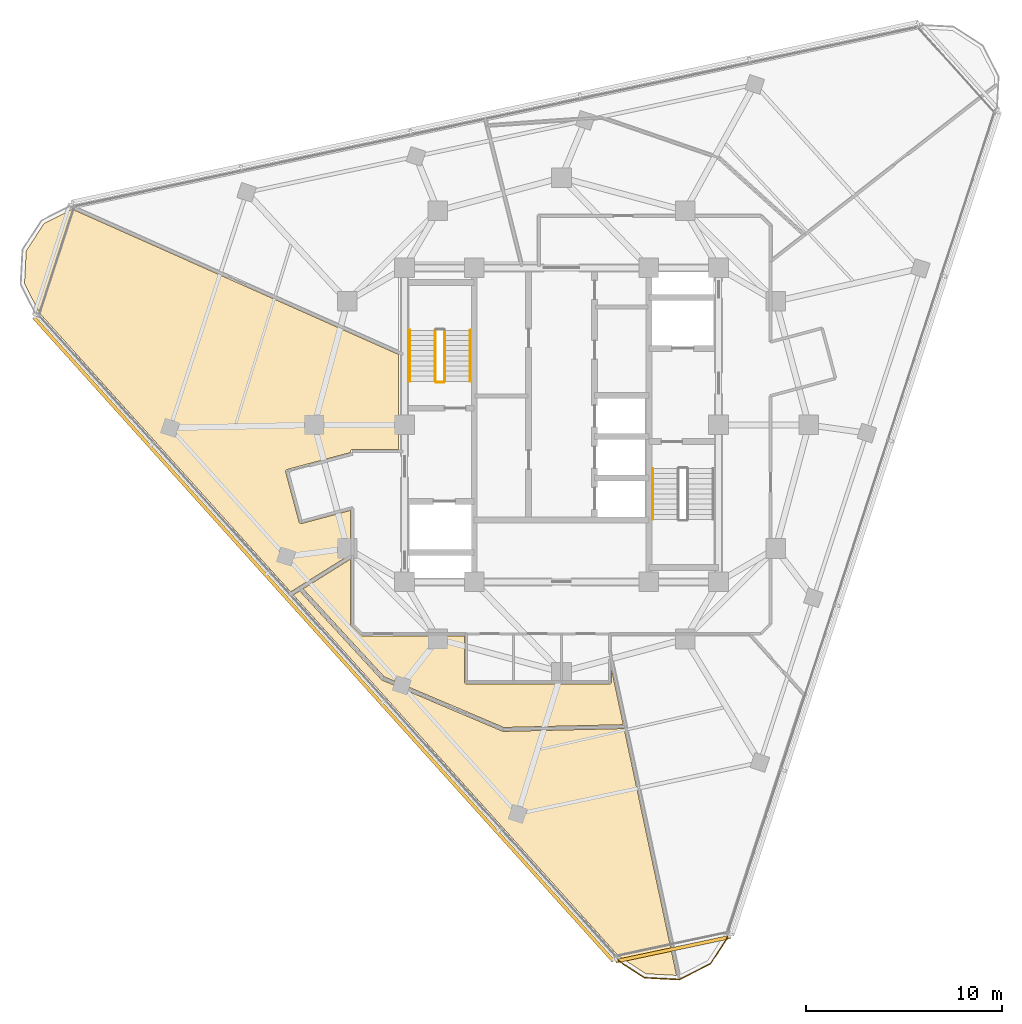
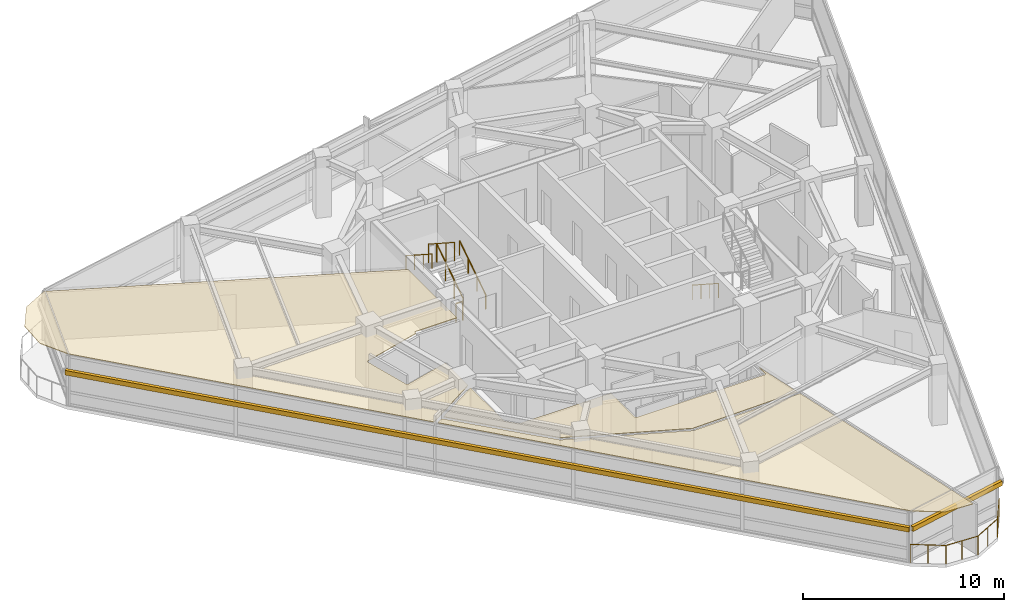
# One storey, part 12 of 15: 7 railings, 3 coverings, 2 shading devices.
"""IFC4 building model written with IfcOpenShell, lengths in metres."""

from ifc_helpers import new_model, si_unit, direction, frame, origin, origin_2d, place, context, subcontext, project, spatial, polyline, rectangle, circle, outline, extrude, material, layer, layer_set, type_object, element, save


model = new_model("IFC4")

# Units and contexts
model_context = context("Model", 3, precision=1e-05, world=origin(), true_north=direction((0.0, 1.0)))
body_context = subcontext(model_context, "Body", "Model", "MODEL_VIEW")
ifc_project = project(units=[si_unit("LENGTHUNIT", "METRE"), si_unit("AREAUNIT", "SQUARE_METRE"), si_unit("VOLUMEUNIT", "CUBIC_METRE"), si_unit("PLANEANGLEUNIT", "RADIAN"), si_unit("MASSUNIT", "GRAM", prefix="KILO")], contexts=[model_context])

# Site, building, storey
site_placement = place(None, origin())
site = spatial("IfcSite", under=ifc_project, at=site_placement, CompositionType="ELEMENT")
building_placement = place(site_placement, origin())
building = spatial("IfcBuilding", under=site, at=building_placement, Name="Terralouvre Media Tower", CompositionType="ELEMENT")
storey_placement = place(building_placement, frame((0.0, 0.0, 286.89990234375)))
storey = spatial("IfcBuildingStorey", under=building, at=storey_placement, Name="L74", CompositionType="ELEMENT", Elevation=286.89990234375)

# Coverings
ifc_material_1 = material(Name="Perforated aluminium acoustic ceiling baffle", Category="aluminium")
ifc_layer_1 = layer(ifc_material_1, 0.0400390625, Name="Perforated Acoustic Metal Tile Ceiling CL-AC1")
ifc_layer_set_1 = layer_set([ifc_layer_1], Name="Perforated aluminium acoustic ceiling baffle")
covering_type = type_object("IfcCoveringType", Name="Perforated Acoustic Metal Tile Ceiling CL-AC1", PredefinedType="CEILING", material=ifc_layer_set_1)
covering_1_placement = place(storey_placement, frame((0.0, 0.0, 2.97998046875), z_axis=(0.0, 0.0, 1.0), x_axis=(0.309016994375, 0.951056516295, 0.0)))
element("IfcCovering", 1, at=covering_1_placement, inside=storey, type_object=covering_type, Name="L74 Admissions Reception 1 Acoustic Ceiling", PredefinedType="CEILING", context=body_context, shape_type="SweptSolid", body=[
    extrude(outline(polyline([(-11.97607421875, 10.179443359375), (-9.5986328125, 8.1845703125), (-7.464111328125, 8.8779296875), (-8.87451171875, 11.049560546875), (-8.87939453125, 11.05810546875), (-8.883544921875, 11.06689453125), (-8.88671875, 11.076416015625), (-8.888916015625, 11.0859375), (-8.89013671875, 11.095458984375), (-8.890625, 11.10546875), (-8.889892578125, 11.115234375), (-8.888427734375, 11.124755859375), (-8.885986328125, 11.13427734375), (-8.882568359375, 11.1435546875), (-8.878173828125, 11.15234375), (-8.873046875, 11.16064453125), (-8.866943359375, 11.16845703125), (-8.8603515625, 11.17578125), (-8.85302734375, 11.18212890625), (-8.844970703125, 11.18798828125), (-6.621826171875, 12.63037109375), (-6.613525390625, 12.635498046875), (-6.6044921875, 12.639404296875), (-6.59521484375, 12.642578125), (-6.585693359375, 12.644775390625), (-6.576171875, 12.646240234375), (-6.566162109375, 12.646484375), (-6.556396484375, 12.64599609375), (-6.546875, 12.644287109375), (-6.537109375, 12.641845703125), (-6.528076171875, 12.638427734375), (-6.519287109375, 12.634033203125), (-6.510986328125, 12.62890625), (-6.503173828125, 12.623046875), (-6.495849609375, 12.616455078125), (-6.489501953125, 12.60888671875), (-6.483642578125, 12.60107421875), (-4.658447265625, 9.78955078125), (-4.60595703125, 9.806640625), (-4.596435546875, 9.809326171875), (-4.586669921875, 9.810791015625), (-4.576904296875, 9.8115234375), (-4.567138671875, 9.811279296875), (-4.557373046875, 9.81005859375), (-4.5478515625, 9.807861328125), (-4.53857421875, 9.8046875), (-4.529541015625, 9.80078125), (-4.52099609375, 9.795654296875), (-4.51318359375, 9.7900390625), (-4.505615234375, 9.78369140625), (-4.4990234375, 9.776611328125), (-4.492919921875, 9.768798828125), (-4.48779296875, 9.760498046875), (-4.4833984375, 9.751708984375), (-4.479736328125, 9.742431640625), (-3.7568359375, 7.51708984375), (0.846435546875, 9.0126953125), (2.7490234375, 27.111572265625), (1.6064453125, 28.255126953125), (0.0, 28.684326171875), (-1.606201171875, 28.254150390625), (-2.803466796875, 27.057861328125), (-12.361328125, 10.5029296875), (-11.97607421875, 10.179443359375)])), origin(), (0.0, 0.0, 1.0), 0.0400390625),
])
covering_2_placement = place(storey_placement, frame((0.0, 0.0, 2.97998046875), z_axis=(0.0, 0.0, 1.0), x_axis=(0.309016994375, 0.951056516295, 0.0)))
element("IfcCovering", 2, at=covering_2_placement, inside=storey, type_object=covering_type, Name="L74 Journalism Training Classroom 3 Acoustic Ceiling", PredefinedType="CEILING", context=body_context, shape_type="SweptSolid", body=[
    extrude(outline(polyline([(-14.998291015625, 4.633056640625), (-15.57470703125, -1.9580078125), (-13.55615234375, -7.711669921875), (-11.078369140625, -6.28076171875), (-11.6708984375, -6.473388671875), (-11.680419921875, -6.475830078125), (-11.68994140625, -6.4775390625), (-11.69970703125, -6.478271484375), (-11.709716796875, -6.47802734375), (-11.71923828125, -6.4765625), (-11.72900390625, -6.474365234375), (-11.738037109375, -6.471435546875), (-11.7470703125, -6.46728515625), (-11.755615234375, -6.46240234375), (-11.763671875, -6.456787109375), (-11.77099609375, -6.4501953125), (-11.77783203125, -6.443115234375), (-11.78369140625, -6.435302734375), (-11.7890625, -6.427001953125), (-11.79345703125, -6.418212890625), (-11.796875, -6.4091796875), (-14.052734375, 0.53369140625), (-14.05517578125, 0.54296875), (-14.056884765625, 0.552734375), (-14.0576171875, 0.5625), (-14.057373046875, 0.572265625), (-14.055908203125, 0.58203125), (-14.0537109375, 0.591796875), (-14.05078125, 0.600830078125), (-14.046630859375, 0.60986328125), (-14.041748046875, 0.618408203125), (-14.0361328125, 0.62646484375), (-14.029541015625, 0.6337890625), (-14.0224609375, 0.640625), (-14.0146484375, 0.646484375), (-14.00634765625, 0.65185546875), (-13.99755859375, 0.656005859375), (-13.988525390625, 0.65966796875), (-11.75341796875, 1.3857421875), (-13.3603515625, 6.331298828125), (-13.363037109375, 6.3408203125), (-13.364501953125, 6.350341796875), (-13.365234375, 6.360107421875), (-13.364990234375, 6.3701171875), (-13.36376953125, 6.379638671875), (-13.361572265625, 6.389404296875), (-13.3583984375, 6.398681640625), (-13.354248046875, 6.407470703125), (-13.033447265625, 7.03759765625), (-13.0283203125, 7.046142578125), (-13.022705078125, 7.05419921875), (-13.016357421875, 7.0615234375), (-13.00927734375, 7.068359375), (-13.00146484375, 7.07421875), (-12.9931640625, 7.07958984375), (-12.984375, 7.083740234375), (-12.97509765625, 7.08740234375), (-9.82275390625, 8.111572265625), (-12.01220703125, 9.94873046875), (-14.998291015625, 4.633056640625)])), origin(), (0.0, 0.0, 1.0), 0.0400390625),
])
covering_3_placement = place(storey_placement, frame((0.0, 0.0, 2.97998046875), z_axis=(0.0, 0.0, 1.0), x_axis=(0.309016994375, 0.951056516295, 0.0)))
element("IfcCovering", 3, at=covering_3_placement, inside=storey, type_object=covering_type, Name="L74 Broadcast Ethics Seminar Room 4 Acoustic Ceiling", PredefinedType="CEILING", context=body_context, shape_type="SweptSolid", body=[
    extrude(outline(polyline([(-15.770751953125, -2.003662109375), (-15.773681640625, -1.99365234375), (-15.775390625, -1.983154296875), (-15.7763671875, -1.97265625), (-15.77587890625, -1.9619140625), (-15.195556640625, 4.672119140625), (-15.194091796875, 4.6826171875), (-15.19140625, 4.69287109375), (-15.187744140625, 4.702880859375), (-15.18310546875, 4.71240234375), (-12.16796875, 10.07958984375), (-12.462890625, 10.3271484375), (-24.83447265625, -11.10107421875), (-25.272705078125, -12.736083984375), (-24.86865234375, -14.241943359375), (-13.732421875, -7.8134765625), (-15.770751953125, -2.003662109375)])), origin(), (0.0, 0.0, 1.0), 0.0400390625),
])

# Railings
ifc_material_2 = material(Name="Stainless steel 316 handrail and balustrade", Category="steel")
ifc_layer_2 = layer(ifc_material_2, 0.06005859375, Name="Roof Edge Safety Guardrail GR-ROOF1")
ifc_layer_set_2 = layer_set([ifc_layer_2], Name="Stainless steel 316 handrail and balustrade")
railing_type_1 = type_object("IfcRailingType", Name="Roof Edge Safety Guardrail GR-ROOF1", PredefinedType="GUARDRAIL", material=ifc_layer_set_2)
railing_1_placement = place(storey_placement, frame((2.738037109375, -27.202880859375, 0.0)))
element("IfcRailing", 4, at=railing_1_placement, inside=storey, type_object=railing_type_1, Name="L74 Wind-Corner Perimeter Safety Guardrail C0", PredefinedType="GUARDRAIL", context=body_context, shape_type="SweptSolid", body=[
    extrude(circle(Radius=0.02099609375, at=origin_2d()), frame((0.0, 0.0, 1.12890625), z_axis=(0.838512544294, -0.544882292849, 0.0), x_axis=(0.544882292849, 0.838512544294, 0.0)), (0.0, 0.0, 1.0), 1.780029296875),
    extrude(circle(Radius=0.02099609375, at=origin_2d()), frame((1.49267578125, -0.969970703125, 1.12890625), z_axis=(0.998626153307, -0.052400438264, 0.0), x_axis=(0.052400438264, 0.998626153307, 0.0)), (0.0, 0.0, 1.0), 1.77978515625),
    extrude(circle(Radius=0.02099609375, at=origin_2d()), frame((3.27001953125, -1.063232421875, 1.12890625), z_axis=(0.890999717441, 0.454003858487, 0.0), x_axis=(-0.454003858487, 0.890999717441, 0.0)), (0.0, 0.0, 1.0), 1.780029296875),
    extrude(circle(Radius=0.02099609375, at=origin_2d()), frame((4.85595703125, -0.255126953125, 1.12890625), z_axis=(0.544371122697, 0.838844491413, 0.0), x_axis=(-0.838844491413, 0.544371122697, 0.0)), (0.0, 0.0, 1.0), 1.780029296875),
    extrude(circle(Radius=0.01904296875, at=origin_2d()), origin(), (0.0, 0.0, 1.0), 1.10791015625),
    extrude(circle(Radius=0.01904296875, at=origin_2d()), frame((0.746337890625, -0.48486328125, 0.0)), (0.0, 0.0, 1.0), 1.10791015625),
    extrude(circle(Radius=0.01904296875, at=origin_2d()), frame((1.49267578125, -0.969970703125, 0.0)), (0.0, 0.0, 1.0), 1.10791015625),
    extrude(circle(Radius=0.01904296875, at=origin_2d()), frame((2.38134765625, -1.0166015625, 0.0)), (0.0, 0.0, 1.0), 1.10791015625),
    extrude(circle(Radius=0.01904296875, at=origin_2d()), frame((3.27001953125, -1.063232421875, 0.0)), (0.0, 0.0, 1.0), 1.10791015625),
    extrude(circle(Radius=0.01904296875, at=origin_2d()), frame((4.06298828125, -0.6591796875, 0.0)), (0.0, 0.0, 1.0), 1.10791015625),
    extrude(circle(Radius=0.01904296875, at=origin_2d()), frame((4.85595703125, -0.255126953125, 0.0)), (0.0, 0.0, 1.0), 1.10791015625),
    extrude(circle(Radius=0.01904296875, at=origin_2d()), frame((5.34033203125, 0.491455078125, 0.0)), (0.0, 0.0, 1.0), 1.10791015625),
    extrude(circle(Radius=0.01904296875, at=origin_2d()), frame((5.824951171875, 1.238037109375, 0.0)), (0.0, 0.0, 1.0), 1.10791015625),
])
ifc_material_3 = material(Name="Stainless steel 316 handrail and balustrade", Category="steel")
ifc_layer_3 = layer(ifc_material_3, 0.050048828125, Name="Stair Flight Wall Handrail HR-INT1")
ifc_layer_set_3 = layer_set([ifc_layer_3], Name="Stainless steel 316 handrail and balustrade")
railing_type_2 = type_object("IfcRailingType", Name="Stair Flight Wall Handrail HR-INT1", PredefinedType="HANDRAIL", material=ifc_layer_set_3)
railing_2_placement = place(storey_placement, frame((-4.64990234375, 2.219970703125, 0.168212890625)))
element("IfcRailing", 5, at=railing_2_placement, inside=storey, type_object=railing_type_2, Name="L74 ST-01 stair handrail 1", PredefinedType="HANDRAIL", context=body_context, shape_type="SweptSolid", body=[
    extrude(circle(Radius=0.02392578125, at=origin_2d()), frame((0.0, 0.0, 0.8759765625), z_axis=(0.0, 0.839648411786, 0.543130320075), x_axis=(-1.0, 0.0, 0.0)), (0.0, 0.0, 1.0), 3.0966796875),
    extrude(circle(Radius=0.02099609375, at=origin_2d()), origin(), (0.0, 0.0, 1.0), 0.851806640625),
    extrude(circle(Radius=0.02099609375, at=origin_2d()), frame((0.0, 0.86669921875, 0.560546875)), (0.0, 0.0, 1.0), 0.851806640625),
    extrude(circle(Radius=0.02099609375, at=origin_2d()), frame((0.0, 1.7333984375, 1.121337890625)), (0.0, 0.0, 1.0), 0.851806640625),
    extrude(circle(Radius=0.02099609375, at=origin_2d()), frame((0.0, 2.60009765625, 1.681884765625)), (0.0, 0.0, 1.0), 0.851806640625),
])
for number, where, name in (
    (6, (-7.72998046875, 4.820068359375, 2.018310546875), "L74 ST-01 stair handrail 2"),
    (7, (4.64990234375, -2.219970703125, 0.168212890625), "L74 ST-02 stair handrail 1"),
):
    element("IfcRailing", number, at=place(storey_placement, frame(where)), inside=storey, type_object=railing_type_2, Name=name, PredefinedType="HANDRAIL", context=body_context, shape_type="SweptSolid", body=[
        extrude(circle(Radius=0.02392578125, at=origin_2d()), frame((0.0, 0.0, 0.8759765625), z_axis=(0.0, -0.839648411786, 0.543130320075), x_axis=(1.0, 0.0, 0.0)), (0.0, 0.0, 1.0), 3.0966796875),
        extrude(circle(Radius=0.02099609375, at=origin_2d()), origin(), (0.0, 0.0, 1.0), 0.851806640625),
        extrude(circle(Radius=0.02099609375, at=origin_2d()), frame((0.0, -0.86669921875, 0.560546875)), (0.0, 0.0, 1.0), 0.851806640625),
        extrude(circle(Radius=0.02099609375, at=origin_2d()), frame((0.0, -1.7333984375, 1.121337890625)), (0.0, 0.0, 1.0), 0.851806640625),
        extrude(circle(Radius=0.02099609375, at=origin_2d()), frame((0.0, -2.60009765625, 1.681884765625)), (0.0, 0.0, 1.0), 0.851806640625),
    ])
ifc_material_4 = material(Name="Stainless steel 316 handrail and balustrade", Category="steel")
ifc_layer_4 = layer(ifc_material_4, 0.050048828125, Name="Stairwell Safety Guardrail GR-INT1")
ifc_layer_set_4 = layer_set([ifc_layer_4], Name="Stainless steel 316 handrail and balustrade")
railing_type_3 = type_object("IfcRailingType", Name="Stairwell Safety Guardrail GR-INT1", PredefinedType="GUARDRAIL", material=ifc_layer_set_4)
railing_3_placement = place(storey_placement, frame((-5.949951171875, 2.219970703125, 0.168212890625)))
element("IfcRailing", 8, at=railing_3_placement, inside=storey, type_object=railing_type_3, Name="L74 ST-01 stair guard 1", PredefinedType="GUARDRAIL", context=body_context, shape_type="SweptSolid", body=[
    extrude(circle(Radius=0.02392578125, at=origin_2d()), frame((0.0, 0.0, 1.1259765625), z_axis=(0.0, 0.839648411786, 0.543130320075), x_axis=(-1.0, 0.0, 0.0)), (0.0, 0.0, 1.0), 3.0966796875),
    extrude(circle(Radius=0.02099609375, at=origin_2d()), origin(), (0.0, 0.0, 1.0), 1.101806640625),
    extrude(circle(Radius=0.02099609375, at=origin_2d()), frame((0.0, 0.86669921875, 0.560546875)), (0.0, 0.0, 1.0), 1.101806640625),
    extrude(circle(Radius=0.02099609375, at=origin_2d()), frame((0.0, 1.7333984375, 1.121337890625)), (0.0, 0.0, 1.0), 1.101806640625),
    extrude(circle(Radius=0.02099609375, at=origin_2d()), frame((0.0, 2.60009765625, 1.681884765625)), (0.0, 0.0, 1.0), 1.101806640625),
])
railing_4_placement = place(storey_placement, frame((-6.429931640625, 4.820068359375, 2.018310546875)))
element("IfcRailing", 9, at=railing_4_placement, inside=storey, type_object=railing_type_3, Name="L74 ST-01 stair guard 3", PredefinedType="GUARDRAIL", context=body_context, shape_type="SweptSolid", body=[
    extrude(circle(Radius=0.02392578125, at=origin_2d()), frame((0.0, 0.0, 1.1259765625), z_axis=(0.0, -0.839648411786, 0.543130320075), x_axis=(1.0, 0.0, 0.0)), (0.0, 0.0, 1.0), 3.0966796875),
    extrude(circle(Radius=0.02099609375, at=origin_2d()), origin(), (0.0, 0.0, 1.0), 1.101806640625),
    extrude(circle(Radius=0.02099609375, at=origin_2d()), frame((0.0, -0.86669921875, 0.560546875)), (0.0, 0.0, 1.0), 1.101806640625),
    extrude(circle(Radius=0.02099609375, at=origin_2d()), frame((0.0, -1.7333984375, 1.121337890625)), (0.0, 0.0, 1.0), 1.101806640625),
    extrude(circle(Radius=0.02099609375, at=origin_2d()), frame((0.0, -2.60009765625, 1.681884765625)), (0.0, 0.0, 1.0), 1.101806640625),
])
railing_5_placement = place(storey_placement, frame((-6.0, 2.169921875, 0.0)))
element("IfcRailing", 10, at=railing_5_placement, inside=storey, type_object=railing_type_3, Name="L74 ST-01 stair guard 4", PredefinedType="GUARDRAIL", context=body_context, shape_type="SweptSolid", body=[
    extrude(circle(Radius=0.02392578125, at=origin_2d()), frame((0.0, 0.0, 1.1259765625), z_axis=(-1.0, 0.0, 0.0), x_axis=(0.0, -1.0, 0.0)), (0.0, 0.0, 1.0), 0.3798828125),
    extrude(circle(Radius=0.02099609375, at=origin_2d()), origin(), (0.0, 0.0, 1.0), 1.101806640625),
    extrude(circle(Radius=0.02099609375, at=origin_2d()), frame((-0.3798828125, 0.0, 0.0)), (0.0, 0.0, 1.0), 1.101806640625),
])

# Shading devices
ifc_material_5 = material(Name="Extruded terracotta baguette sunshade louvres", Category="masonry")
shading_device_type = type_object("IfcShadingDeviceType", Name="Terracotta Baguette Sunshade Louvre Screen TB-LV1", PredefinedType="USERDEFINED", material=ifc_material_5)
shading_device_1_placement = place(storey_placement, frame((-12.12548828125, -10.917724609375, 2.02392578125), z_axis=(0.0, 0.0, 1.0), x_axis=(0.669130573531, -0.743144855036, 0.0)))
element("IfcShadingDevice", 11, at=shading_device_1_placement, inside=storey, type_object=shading_device_type, Name="CW-L74-F2 Terracotta Baguette Sunshade Louvre", ObjectType="BAGUETTE", PredefinedType="USERDEFINED", context=body_context, shape_type="SweptSolid", body=[
    extrude(rectangle(XDim=44.1201171875, YDim=0.179931640625, at=origin_2d()), origin(), (0.0, 0.0, 1.0), 0.280029296875),
])
shading_device_2_placement = place(storey_placement, frame((5.6787109375, -26.7158203125, 2.02392578125), z_axis=(0.0, 0.0, 1.0), x_axis=(0.978147609922, 0.207911647592, 0.0)))
element("IfcShadingDevice", 12, at=shading_device_2_placement, inside=storey, type_object=shading_device_type, Name="CW-L74-C0 Terracotta Baguette Sunshade Louvre", ObjectType="BAGUETTE", PredefinedType="USERDEFINED", context=body_context, shape_type="SweptSolid", body=[
    extrude(rectangle(XDim=5.958251953125, YDim=0.179931640625, at=origin_2d()), origin(), (0.0, 0.0, 1.0), 0.280029296875),
])

save(model, "model.ifc")
